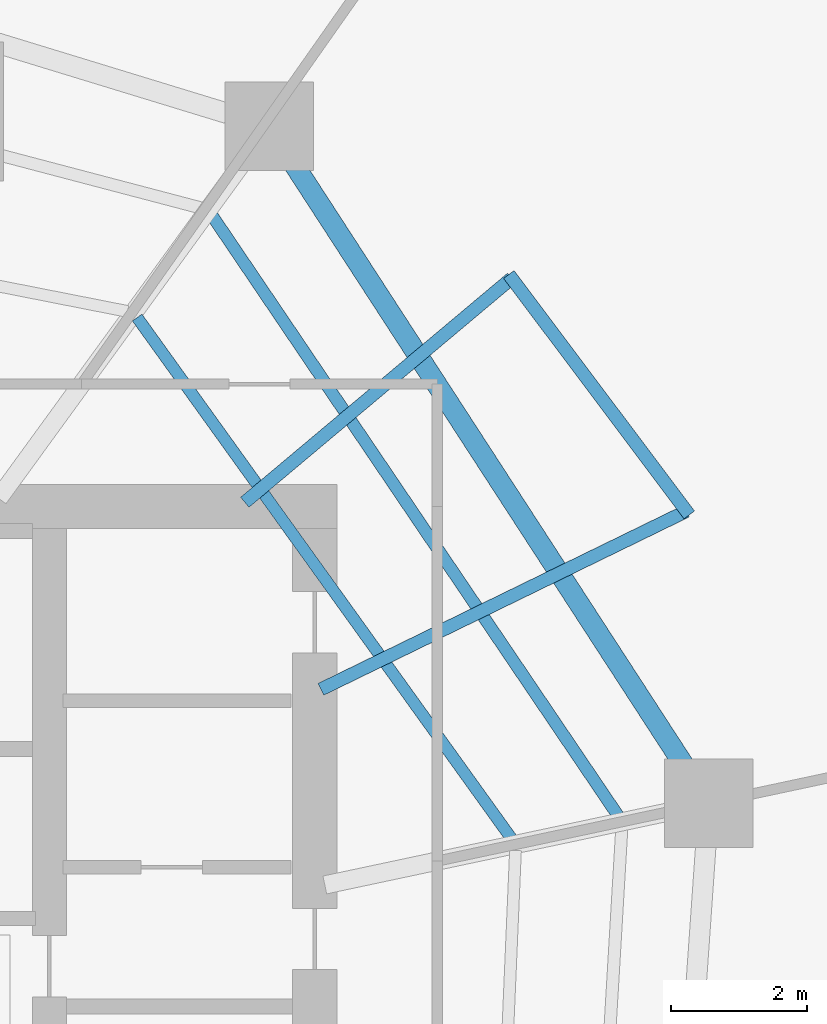
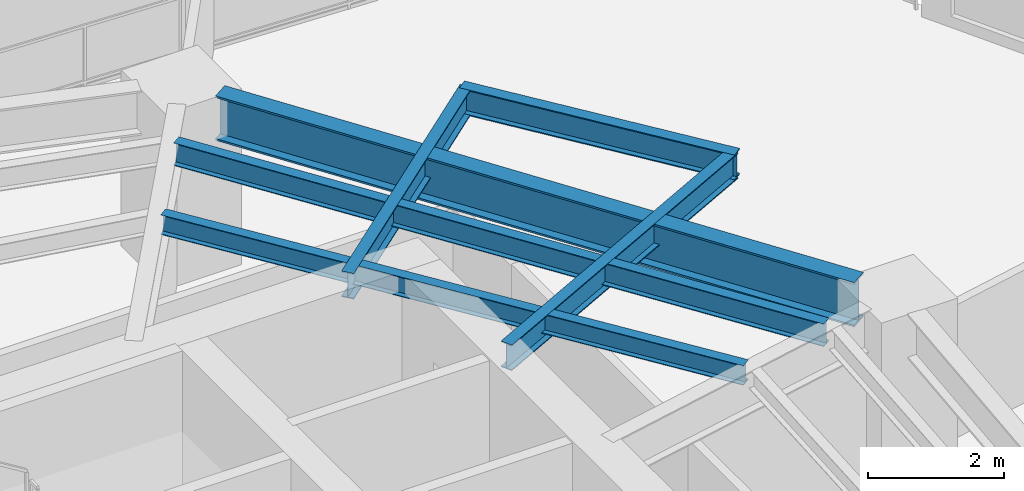
# One storey, part 21 of 30: 6 beams.
"""IFC4 building model written with IfcOpenShell, lengths in metres."""

from ifc_helpers import new_model, si_unit, direction, frame, origin, origin_2d, place, context, subcontext, project, spatial, i_section, extrude, material, material_profile, profile_set, type_object, element, save


model = new_model("IFC4")

# Units and contexts
model_context = context("Model", 3, precision=1e-05, world=origin(), true_north=direction((0.0, 1.0)))
body_context = subcontext(model_context, "Body", "Model", "MODEL_VIEW")
ifc_project = project(units=[si_unit("LENGTHUNIT", "METRE"), si_unit("AREAUNIT", "SQUARE_METRE"), si_unit("VOLUMEUNIT", "CUBIC_METRE"), si_unit("PLANEANGLEUNIT", "RADIAN"), si_unit("MASSUNIT", "GRAM", prefix="KILO")], contexts=[model_context])

# Site, building, storey
site_placement = place(None, origin())
site = spatial("IfcSite", under=ifc_project, at=site_placement, CompositionType="ELEMENT")
building_placement = place(site_placement, origin())
building = spatial("IfcBuilding", under=site, at=building_placement, Name="Qarnah Convention Tower", CompositionType="ELEMENT")
storey_placement = place(building_placement, frame((0.0, 0.0, 58.050048828125)))
storey = spatial("IfcBuildingStorey", under=building, at=storey_placement, Name="L14", CompositionType="ELEMENT", Elevation=58.050048828125)

# Beams
ifc_material = material(Name="Structural steel S355JR", Category="steel")
ifc_material_profile_1 = material_profile(ifc_material, i_section(OverallWidth=0.19189453125, OverallDepth=0.464111328125, WebThickness=0.010986328125, FlangeThickness=0.01806640625, at=origin_2d()), Name="W460X89")
ifc_profile_set_1 = profile_set([ifc_material_profile_1], Name="Structural steel S355JR")
beam_type_1 = type_object("IfcBeamType", Name="BM-CANT-W460A", PredefinedType="BEAM", material=ifc_profile_set_1)
beam_1_placement = place(storey_placement, frame((47.68994140625, 31.51611328125, 2.93798828125), z_axis=(0.898845814475, 0.438264990388, 0.0), x_axis=(-0.438264990388, 0.898845814475, 0.0)))
element("IfcBeam", 1, at=beam_1_placement, inside=storey, type_object=beam_type_1, Name="L14 beam BM-L14-CNT-01-1", PredefinedType="BEAM", context=body_context, shape_type="SweptSolid", body=[
    extrude(i_section(OverallWidth=0.19189453125, OverallDepth=0.464111328125, WebThickness=0.010986328125, FlangeThickness=0.01806640625, at=origin_2d()), origin(), (0.0, 0.0, 1.0), 5.973388671875),
])
beam_2_placement = place(storey_placement, frame((46.572021484375, 34.263916015625, 2.93798828125), z_axis=(0.765964185984, 0.64288324429, 0.0), x_axis=(-0.64288324429, 0.765964185984, 0.0)))
element("IfcBeam", 2, at=beam_2_placement, inside=storey, type_object=beam_type_1, Name="L14 beam BM-L14-CNT-01-2", PredefinedType="BEAM", context=body_context, shape_type="SweptSolid", body=[
    extrude(i_section(OverallWidth=0.19189453125, OverallDepth=0.464111328125, WebThickness=0.010986328125, FlangeThickness=0.01806640625, at=origin_2d()), origin(), (0.0, 0.0, 1.0), 5.11767578125),
])
beam_3_placement = place(storey_placement, frame((53.10107421875, 34.077880859375, 2.93798828125), z_axis=(-0.600282994859, 0.799787675626, 0.0), x_axis=(-0.799787675626, -0.600282994859, 0.0)))
element("IfcBeam", 3, at=beam_3_placement, inside=storey, type_object=beam_type_1, Name="L14 spandrel BM-L14-CTIE-01", PredefinedType="SPANDREL", context=body_context, shape_type="SweptSolid", body=[
    extrude(i_section(OverallWidth=0.19189453125, OverallDepth=0.464111328125, WebThickness=0.010986328125, FlangeThickness=0.01806640625, at=origin_2d()), origin(), (0.0, 0.0, 1.0), 4.41650390625),
])
ifc_material_profile_2 = material_profile(ifc_material, i_section(OverallWidth=0.172119140625, OverallDepth=0.35595703125, WebThickness=0.007080078125, FlangeThickness=0.011962890625, at=origin_2d()), Name="W360X51")
ifc_profile_set_2 = profile_set([ifc_material_profile_2], Name="Structural steel S355JR")
beam_type_2 = type_object("IfcBeamType", Name="BM-JST-W360", PredefinedType="JOIST", material=ifc_profile_set_2)
beam_4_placement = place(storey_placement, frame((50.4990234375, 29.31103515625, 2.991943359375), z_axis=(-0.583503875683, 0.812110353993, 0.0), x_axis=(-0.812110353993, -0.583503875683, 0.0)))
element("IfcBeam", 4, at=beam_4_placement, inside=storey, type_object=beam_type_2, Name="L14 joist BM-L14-IJST-01", PredefinedType="JOIST", context=body_context, shape_type="SweptSolid", body=[
    extrude(i_section(OverallWidth=0.172119140625, OverallDepth=0.35595703125, WebThickness=0.007080078125, FlangeThickness=0.011962890625, at=origin_2d()), origin(), (0.0, 0.0, 1.0), 9.439697265625),
])
ifc_material_profile_3 = material_profile(ifc_material, i_section(OverallWidth=0.177978515625, OverallDepth=0.407958984375, WebThickness=0.008056640625, FlangeThickness=0.012939453125, at=origin_2d()), Name="W410X60")
ifc_profile_set_3 = profile_set([ifc_material_profile_3], Name="Structural steel S355JR")
beam_type_3 = type_object("IfcBeamType", Name="BM-JST-W410", PredefinedType="JOIST", material=ifc_profile_set_3)
beam_5_placement = place(storey_placement, frame((52.06494140625, 29.64501953125, 2.966064453125), z_axis=(-0.560357375218, 0.828250935429, 0.0), x_axis=(-0.828250935429, -0.560357375218, 0.0)))
element("IfcBeam", 5, at=beam_5_placement, inside=storey, type_object=beam_type_3, Name="L14 joist BM-L14-SJST-01", PredefinedType="JOIST", context=body_context, shape_type="SweptSolid", body=[
    extrude(i_section(OverallWidth=0.177978515625, OverallDepth=0.407958984375, WebThickness=0.008056640625, FlangeThickness=0.012939453125, at=origin_2d()), origin(), (0.0, 0.0, 1.0), 10.671630859375),
])
ifc_material_profile_4 = material_profile(ifc_material, i_section(OverallWidth=0.300048828125, OverallDepth=0.800048828125, WebThickness=0.01806640625, FlangeThickness=0.032958984375, at=origin_2d()), Name="HEB800")
ifc_profile_set_4 = profile_set([ifc_material_profile_4], Name="Structural steel S355JR")
beam_type_4 = type_object("IfcBeamType", Name="BM-RING-HEB800", PredefinedType="BEAM", material=ifc_profile_set_4)
beam_6_placement = place(storey_placement, frame((53.0390625, 30.3779296875, 2.77001953125), z_axis=(-0.544579515688, 0.838709217246, 0.0), x_axis=(-0.838709217246, -0.544579515688, 0.0)))
element("IfcBeam", 6, at=beam_6_placement, inside=storey, type_object=beam_type_4, Name="L14 beam BM-L14-SPN-01", PredefinedType="BEAM", context=body_context, shape_type="SweptSolid", body=[
    extrude(i_section(OverallWidth=0.300048828125, OverallDepth=0.800048828125, WebThickness=0.01806640625, FlangeThickness=0.032958984375, at=origin_2d()), origin(), (0.0, 0.0, 1.0), 10.58056640625),
])

save(model, "model.ifc")
